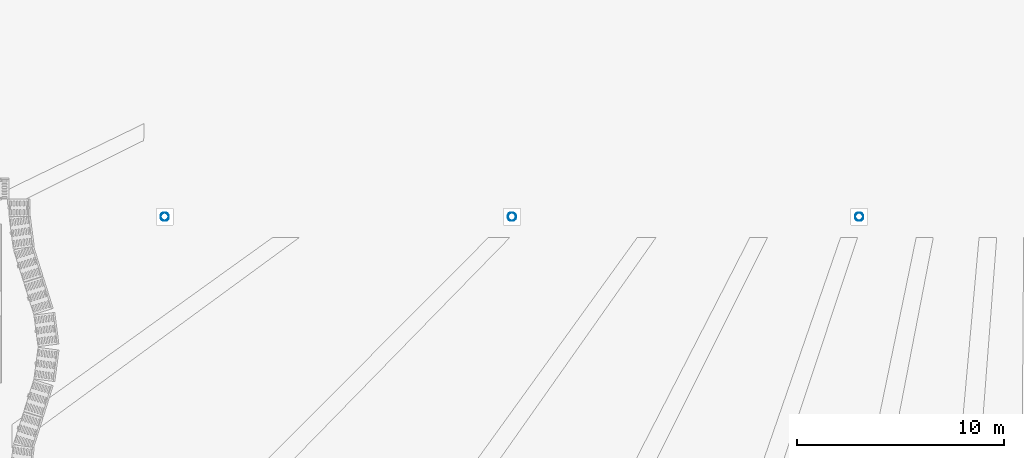
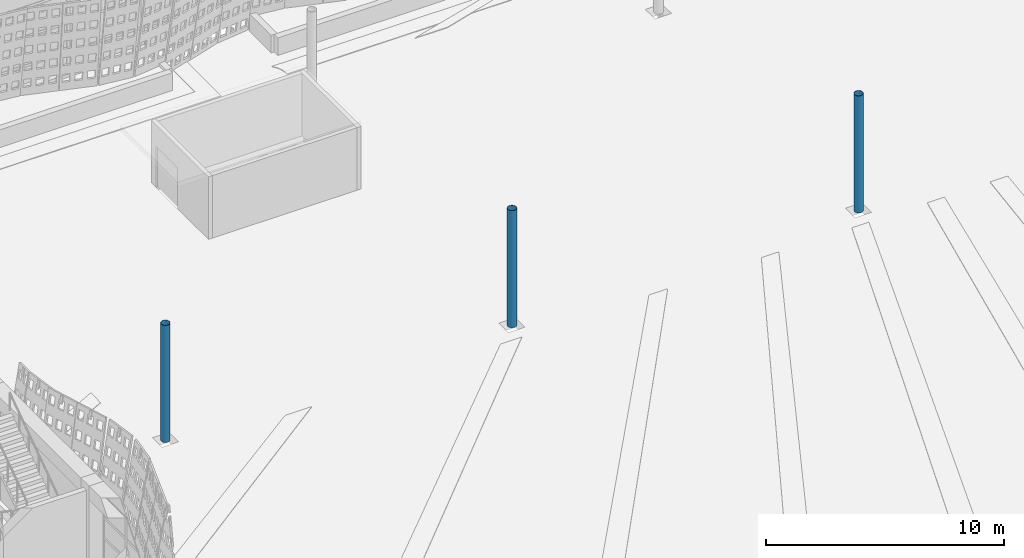
# One storey, part 6 of 210: 3 columns.
"""IFC4 building model written with IfcOpenShell, lengths in metres."""

from ifc_helpers import new_model, si_unit, direction, frame, origin, origin_2d, place, context, subcontext, project, spatial, hollow_circle, extrude, material, material_profile, profile_set, type_object, element, save


model = new_model("IFC4")

# Units and contexts
model_context = context("Model", 3, precision=1e-05, world=origin(), true_north=direction((0.0, 1.0)))
body_context = subcontext(model_context, "Body", "Model", "MODEL_VIEW")
ifc_project = project(units=[si_unit("LENGTHUNIT", "METRE"), si_unit("AREAUNIT", "SQUARE_METRE"), si_unit("VOLUMEUNIT", "CUBIC_METRE"), si_unit("PLANEANGLEUNIT", "RADIAN"), si_unit("MASSUNIT", "GRAM", prefix="KILO")], contexts=[model_context])

# Site, building, storey
site_placement = place(None, origin())
site = spatial("IfcSite", under=ifc_project, at=site_placement, CompositionType="ELEMENT")
building_placement = place(site_placement, origin())
building = spatial("IfcBuilding", under=site, at=building_placement, Name="Rain Tree Exposition and Congress Centre", CompositionType="ELEMENT")
storey_placement = place(building_placement, origin())
storey = spatial("IfcBuildingStorey", under=building, at=storey_placement, Name="L00", CompositionType="ELEMENT", Elevation=0.0)

# Columns
ifc_material = material(Name="Steel S355J2H", Category="steel")
ifc_material_profile = material_profile(ifc_material, hollow_circle(Radius=0.203125, WallThickness=0.009033203125, at=origin_2d()), Name="CHS 406.4x9")
ifc_profile_set = profile_set([ifc_material_profile], Name="Steel S355J2H")
column_type = type_object("IfcColumnType", Name="Steel column CHS 406.4x9", PredefinedType="COLUMN", material=ifc_profile_set)
for number, where, z_axis, x_axis, name in (
    (1, (58.800048828125, 50.39990234375, 0.0), (0.0, 0.0, 1.0), (1.0, 0.0, 0.0), "Rain tree column 1"),
    (2, (75.60009765625, 50.39990234375, 0.0), (0.0, 0.0, 1.0), (1.0, 0.0, 0.0), "Rain tree column 3"),
    (3, (92.39990234375, 50.39990234375, 0.0), (0.0, 0.0, 1.0), (1.0, 0.0, 0.0), "Rain tree column 5"),
):
    element("IfcColumn", number, at=place(storey_placement, frame(where, z_axis=z_axis, x_axis=x_axis)), inside=storey, type_object=column_type, Name=name, PredefinedType="COLUMN", context=body_context, shape_type="SweptSolid", body=[
        extrude(hollow_circle(Radius=0.203125, WallThickness=0.009033203125, at=origin_2d()), origin(), (0.0, 0.0, 1.0), 6.0),
    ])

save(model, "model.ifc")
